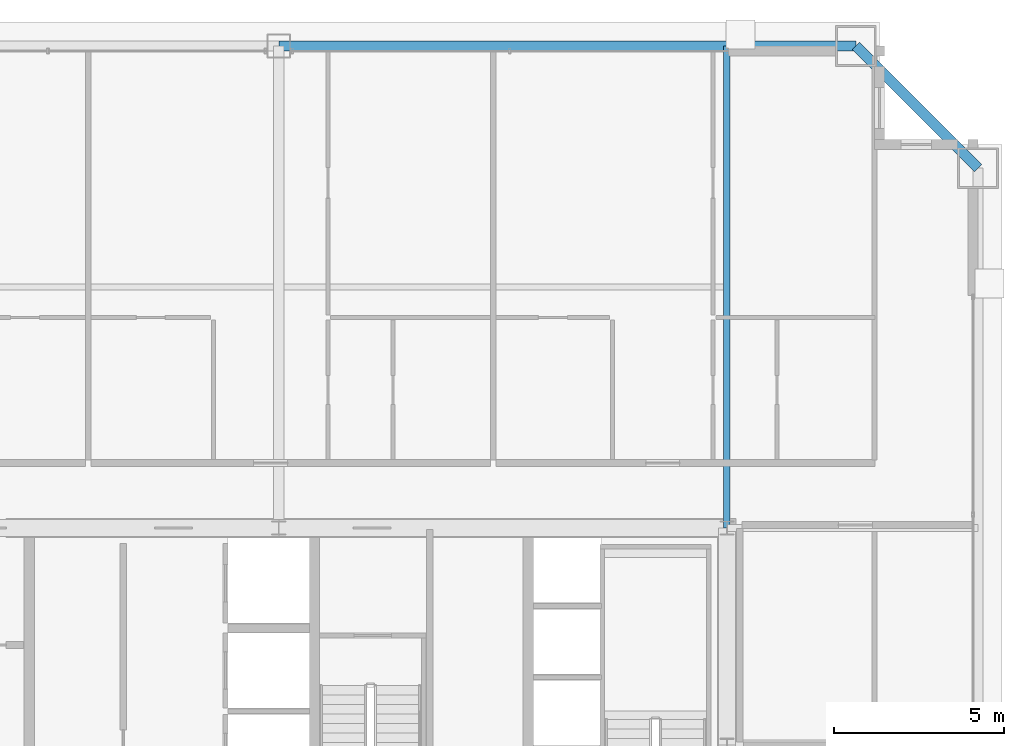
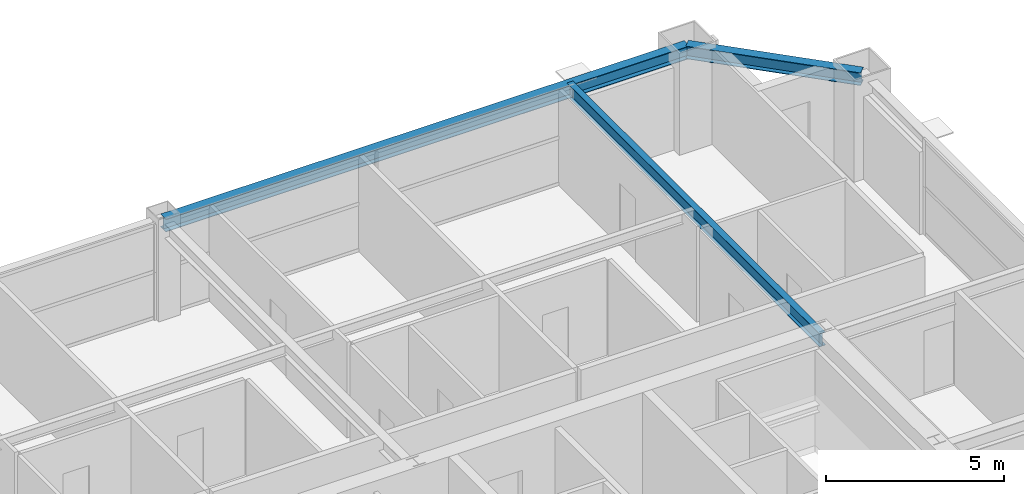
# One storey, part 29 of 37: 3 beams.
"""IFC4 building model written with IfcOpenShell, lengths in metres."""

from ifc_helpers import new_model, si_unit, direction, frame, origin, origin_2d, place, context, subcontext, project, spatial, i_section, extrude, source, transform, mapped, material, material_profile, profile_set, type_object, element, save


model = new_model("IFC4")

# Units and contexts
model_context = context("Model", 3, precision=1e-05, world=origin(), true_north=direction((0.0, 1.0)))
body_context = subcontext(model_context, "Body", "Model", "MODEL_VIEW")
ifc_project = project(units=[si_unit("LENGTHUNIT", "METRE"), si_unit("AREAUNIT", "SQUARE_METRE"), si_unit("VOLUMEUNIT", "CUBIC_METRE"), si_unit("PLANEANGLEUNIT", "RADIAN"), si_unit("MASSUNIT", "GRAM", prefix="KILO"), si_unit("THERMODYNAMICTEMPERATUREUNIT", "KELVIN"), si_unit("POWERUNIT", "WATT")], contexts=[model_context])

# Site, building, storey
site_placement = place(None, origin())
site = spatial("IfcSite", under=ifc_project, at=site_placement, CompositionType="ELEMENT")
building_placement = place(site_placement, origin())
building = spatial("IfcBuilding", under=site, at=building_placement, Name="Yuzanri Waterfront Tower", CompositionType="ELEMENT")
storey_placement = place(building_placement, frame((0.0, 0.0, 252.10009765625)))
storey = spatial("IfcBuildingStorey", under=building, at=storey_placement, Name="L67", CompositionType="ELEMENT", Elevation=252.10009765625)

# Beams
ifc_material_1 = material(Name="Steel Q355B", Category="steel")
ifc_material_profile_1 = material_profile(ifc_material_1, i_section(OverallWidth=0.300048828125, OverallDepth=0.43994140625, WebThickness=0.010986328125, FlangeThickness=0.01806640625, at=origin_2d()), Name="HM 440x300x11x18")
ifc_profile_set_1 = profile_set([ifc_material_profile_1], Name="Steel Q355B")
beam_type_1 = type_object("IfcBeamType", Name="Perimeter Spandrel Q355B HM 440x300", PredefinedType="SPANDREL", material=ifc_profile_set_1)
shared_shape_1 = source(origin(), body_context, "Body", "SweptSolid", [
    extrude(i_section(OverallWidth=0.300048828125, OverallDepth=0.43994140625, WebThickness=0.010986328125, FlangeThickness=0.01806640625, at=origin_2d()), origin(), (0.0, 0.0, 1.0), 5.091064453125),
])
beam_1_placement = place(storey_placement, frame((57.60009765625, 42.800048828125, 3.059814453125), z_axis=(-0.707130757816, 0.707082803744, 0.0), x_axis=(-0.707082803744, -0.707130757816, 0.0)))
element("IfcBeam", 1, at=beam_1_placement, inside=storey, type_object=beam_type_1, Name="L67 Perimeter Spandrel E3-N3", PredefinedType="SPANDREL", context=body_context, shape_type="MappedRepresentation", body=[
    mapped(shared_shape_1, transform((0.0, 0.0, 0.0), scale=1.0)),
])
shared_shape_2 = source(origin(), body_context, "Body", "SweptSolid", [
    extrude(i_section(OverallWidth=0.300048828125, OverallDepth=0.43994140625, WebThickness=0.010986328125, FlangeThickness=0.01806640625, at=origin_2d()), origin(), (0.0, 0.0, 1.0), 17.0),
])
beam_2_placement = place(storey_placement, frame((54.0, 46.39990234375, 3.059814453125), z_axis=(-1.0, 0.0, 0.0), x_axis=(0.0, -1.0, 0.0)))
element("IfcBeam", 2, at=beam_2_placement, inside=storey, type_object=beam_type_1, Name="L67 Perimeter Spandrel N3-N2", PredefinedType="SPANDREL", context=body_context, shape_type="MappedRepresentation", body=[
    mapped(shared_shape_2, transform((0.0, 0.0, 0.0), scale=1.0)),
])
ifc_material_2 = material(Name="Steel Q355B", Category="steel")
ifc_material_profile_2 = material_profile(ifc_material_2, i_section(OverallWidth=0.199951171875, OverallDepth=0.449951171875, WebThickness=0.009033203125, FlangeThickness=0.013916015625, at=origin_2d()), Name="HN 450x200x9x14")
ifc_profile_set_2 = profile_set([ifc_material_profile_2], Name="Steel Q355B")
beam_type_2 = type_object("IfcBeamType", Name="Secondary Floor Beam Q355B HN 450x200", PredefinedType="BEAM", material=ifc_profile_set_2)
shared_shape_3 = source(origin(), body_context, "Body", "SweptSolid", [
    extrude(i_section(OverallWidth=0.199951171875, OverallDepth=0.449951171875, WebThickness=0.009033203125, FlangeThickness=0.013916015625, at=origin_2d()), origin(), (0.0, 0.0, 1.0), 14.199951171875),
])
beam_3_placement = place(storey_placement, frame((50.199951171875, 32.199951171875, 3.054931640625), z_axis=(0.0, 1.0, 0.0), x_axis=(-1.0, 0.0, 0.0)))
element("IfcBeam", 3, at=beam_3_placement, inside=storey, type_object=beam_type_2, Name="L67 North-East Core Line Beam", PredefinedType="BEAM", context=body_context, shape_type="MappedRepresentation", body=[
    mapped(shared_shape_3, transform((0.0, 0.0, 0.0), scale=1.0)),
])

save(model, "model.ifc")
